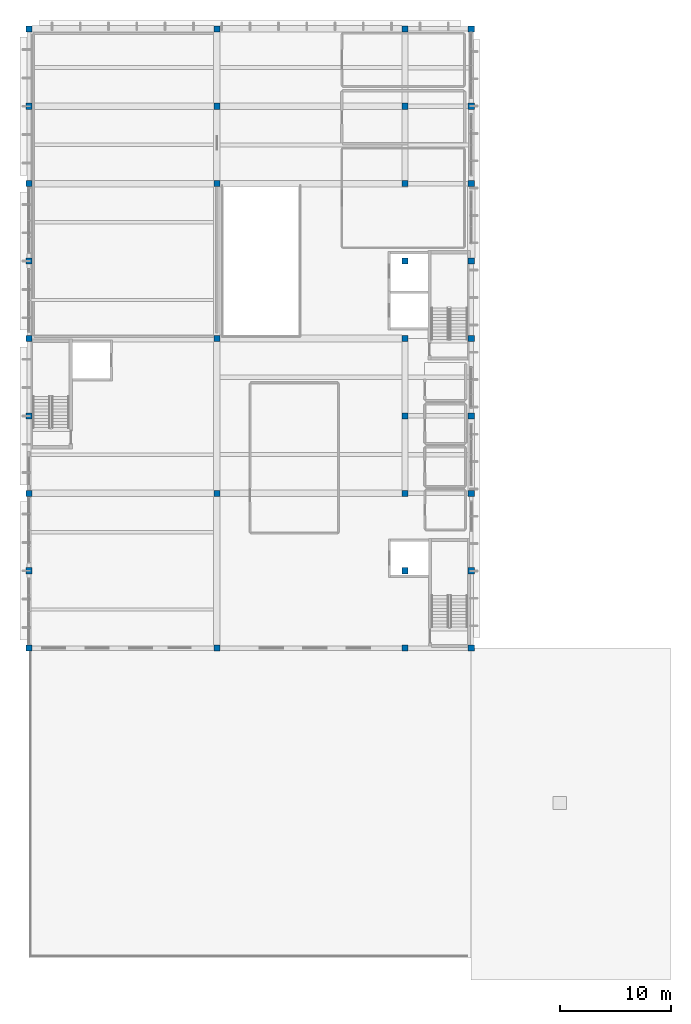
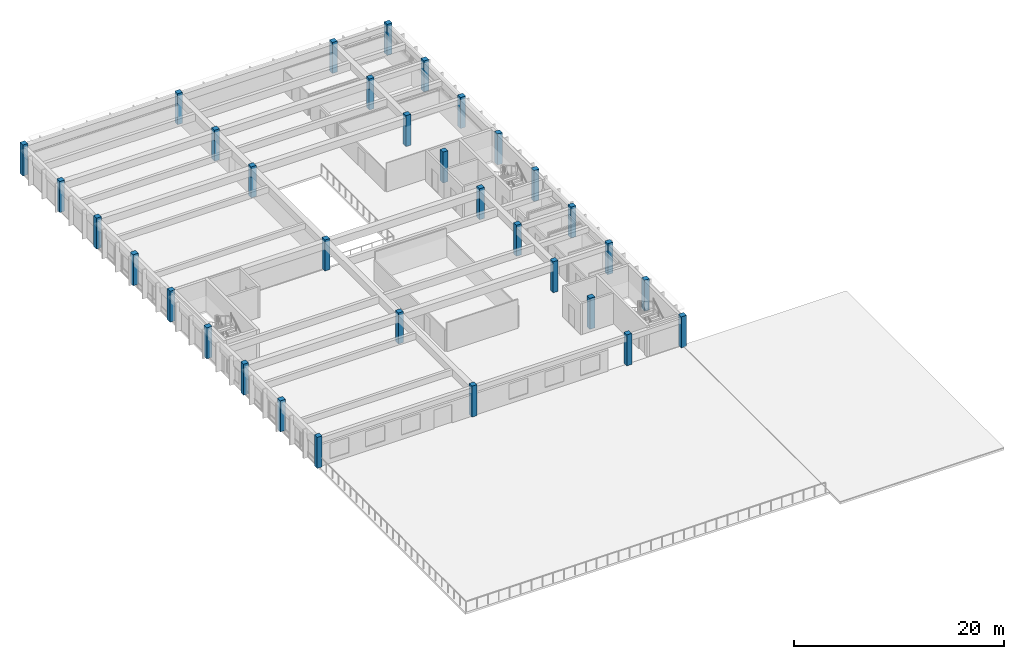
# One storey, part 1 of 23: 33 columns.
"""IFC4 building model written with IfcOpenShell, lengths in metres."""

from ifc_helpers import new_model, si_unit, direction, frame, origin, origin_2d, place, context, subcontext, project, spatial, rectangle, extrude, material, material_profile, profile_set, type_object, element, save


model = new_model("IFC4")

# Units and contexts
model_context = context("Model", 3, precision=1e-05, world=origin(), true_north=direction((0.0, 1.0)))
body_context = subcontext(model_context, "Body", "Model", "MODEL_VIEW")
ifc_project = project(units=[si_unit("LENGTHUNIT", "METRE"), si_unit("AREAUNIT", "SQUARE_METRE"), si_unit("VOLUMEUNIT", "CUBIC_METRE"), si_unit("PLANEANGLEUNIT", "RADIAN"), si_unit("MASSUNIT", "GRAM", prefix="KILO")], contexts=[model_context])

# Site, building, storey
site_placement = place(None, origin())
site = spatial("IfcSite", under=ifc_project, at=site_placement, CompositionType="ELEMENT")
building_placement = place(site_placement, origin())
building = spatial("IfcBuilding", under=site, at=building_placement, Name="Larkveld Mobility Hub", CompositionType="ELEMENT")
storey_placement = place(building_placement, frame((0.0, 0.0, 19.199951171875)))
storey = spatial("IfcBuildingStorey", under=building, at=storey_placement, Name="L05", CompositionType="ELEMENT", Elevation=19.199951171875)

# Columns
ifc_material = material(Name="Concrete C40/50", Category="concrete")
ifc_material_profile = material_profile(ifc_material, rectangle(XDim=0.550048828125, YDim=0.550048828125, at=origin_2d()), Name="RC COL 550x550")
ifc_profile_set = profile_set([ifc_material_profile], Name="Concrete C40/50")
column_type = type_object("IfcColumnType", Name="CL-RC550", PredefinedType="COLUMN", material=ifc_profile_set)
for number, where, z_axis, x_axis, name in (
    (1, (112.0, 28.0, 0.0), (0.0, 0.0, 1.0), (1.0, 0.0, 0.0), "Column EV-X112-Y28 (L05)"),
    (2, (112.0, 35.0, 0.0), (0.0, 0.0, 1.0), (1.0, 0.0, 0.0), "Column EV-X112-Y35 (L05)"),
    (3, (112.0, 42.0, 0.0), (0.0, 0.0, 1.0), (1.0, 0.0, 0.0), "Column EV-X112-Y42 (L05)"),
    (4, (112.0, 49.0, 0.0), (0.0, 0.0, 1.0), (1.0, 0.0, 0.0), "Column EV-X112-Y49 (L05)"),
    (5, (112.0, 56.0, 0.0), (0.0, 0.0, 1.0), (1.0, 0.0, 0.0), "Column EV-X112-Y56 (L05)"),
    (6, (112.0, 63.0, 0.0), (0.0, 0.0, 1.0), (1.0, 0.0, 0.0), "Column EV-X112-Y63 (L05)"),
    (7, (112.0, 70.0, 0.0), (0.0, 0.0, 1.0), (1.0, 0.0, 0.0), "Column EV-X112-Y70 (L05)"),
    (8, (112.0, 77.0, 0.0), (0.0, 0.0, 1.0), (1.0, 0.0, 0.0), "Column EV-X112-Y77 (L05)"),
    (9, (112.0, 84.0, 0.0), (0.0, 0.0, 1.0), (1.0, 0.0, 0.0), "Column EV-X112-Y84 (L05)"),
    (10, (129.0, 28.0, 0.0), (0.0, 0.0, 1.0), (1.0, 0.0, 0.0), "Column EV-X129-Y28 (L05)"),
    (11, (129.0, 42.0, 0.0), (0.0, 0.0, 1.0), (1.0, 0.0, 0.0), "Column EV-X129-Y42 (L05)"),
    (12, (129.0, 56.0, 0.0), (0.0, 0.0, 1.0), (1.0, 0.0, 0.0), "Column EV-X129-Y56 (L05)"),
    (13, (129.0, 70.0, 0.0), (0.0, 0.0, 1.0), (1.0, 0.0, 0.0), "Column EV-X129-Y70 (L05)"),
    (14, (129.0, 77.0, 0.0), (0.0, 0.0, 1.0), (1.0, 0.0, 0.0), "Column EV-X129-Y77 (L05)"),
    (15, (129.0, 84.0, 0.0), (0.0, 0.0, 1.0), (1.0, 0.0, 0.0), "Column EV-X129-Y84 (L05)"),
    (16, (146.0, 28.0, 0.0), (0.0, 0.0, 1.0), (1.0, 0.0, 0.0), "Column EV-X146-Y28 (L05)"),
    (17, (146.0, 35.0, 0.0), (0.0, 0.0, 1.0), (1.0, 0.0, 0.0), "Column EV-X146-Y35 (L05)"),
    (18, (146.0, 42.0, 0.0), (0.0, 0.0, 1.0), (1.0, 0.0, 0.0), "Column EV-X146-Y42 (L05)"),
    (19, (146.0, 49.0, 0.0), (0.0, 0.0, 1.0), (1.0, 0.0, 0.0), "Column EV-X146-Y49 (L05)"),
    (20, (146.0, 56.0, 0.0), (0.0, 0.0, 1.0), (1.0, 0.0, 0.0), "Column EV-X146-Y56 (L05)"),
    (21, (146.0, 63.0, 0.0), (0.0, 0.0, 1.0), (1.0, 0.0, 0.0), "Column EV-X146-Y63 (L05)"),
    (22, (146.0, 70.0, 0.0), (0.0, 0.0, 1.0), (1.0, 0.0, 0.0), "Column EV-X146-Y70 (L05)"),
    (23, (146.0, 77.0, 0.0), (0.0, 0.0, 1.0), (1.0, 0.0, 0.0), "Column EV-X146-Y77 (L05)"),
    (24, (146.0, 84.0, 0.0), (0.0, 0.0, 1.0), (1.0, 0.0, 0.0), "Column EV-X146-Y84 (L05)"),
    (25, (152.0, 28.0, 0.0), (0.0, 0.0, 1.0), (1.0, 0.0, 0.0), "Column EV-X152-Y28 (L05)"),
    (26, (152.0, 35.0, 0.0), (0.0, 0.0, 1.0), (1.0, 0.0, 0.0), "Column EV-X152-Y35 (L05)"),
    (27, (152.0, 42.0, 0.0), (0.0, 0.0, 1.0), (1.0, 0.0, 0.0), "Column EV-X152-Y42 (L05)"),
    (28, (152.0, 49.0, 0.0), (0.0, 0.0, 1.0), (1.0, 0.0, 0.0), "Column EV-X152-Y49 (L05)"),
    (29, (152.0, 56.0, 0.0), (0.0, 0.0, 1.0), (1.0, 0.0, 0.0), "Column EV-X152-Y56 (L05)"),
    (30, (152.0, 63.0, 0.0), (0.0, 0.0, 1.0), (1.0, 0.0, 0.0), "Column EV-X152-Y63 (L05)"),
    (31, (152.0, 70.0, 0.0), (0.0, 0.0, 1.0), (1.0, 0.0, 0.0), "Column EV-X152-Y70 (L05)"),
    (32, (152.0, 77.0, 0.0), (0.0, 0.0, 1.0), (1.0, 0.0, 0.0), "Column EV-X152-Y77 (L05)"),
    (33, (152.0, 84.0, 0.0), (0.0, 0.0, 1.0), (1.0, 0.0, 0.0), "Column EV-X152-Y84 (L05)"),
):
    element("IfcColumn", number, at=place(storey_placement, frame(where, z_axis=z_axis, x_axis=x_axis)), inside=storey, type_object=column_type, Name=name, PredefinedType="COLUMN", context=body_context, shape_type="SweptSolid", body=[
        extrude(rectangle(XDim=0.550048828125, YDim=0.550048828125, at=origin_2d()), origin(), (0.0, 0.0, 1.0), 3.60009765625),
    ])

save(model, "model.ifc")
